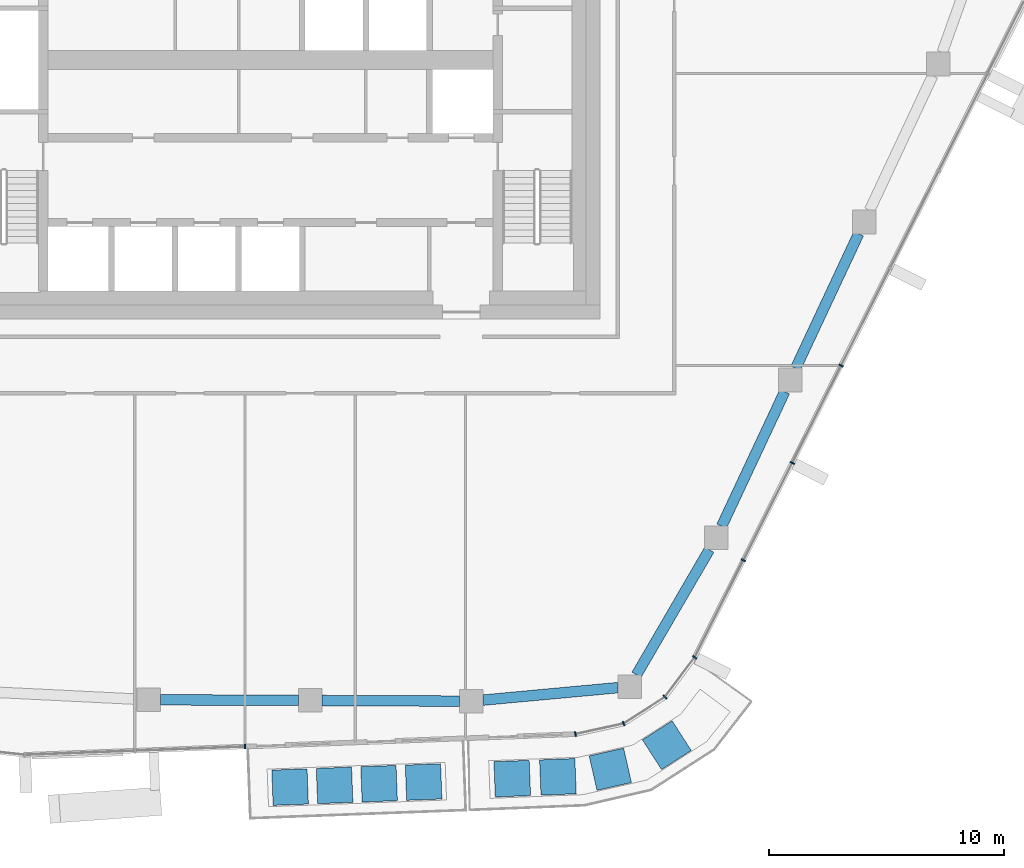
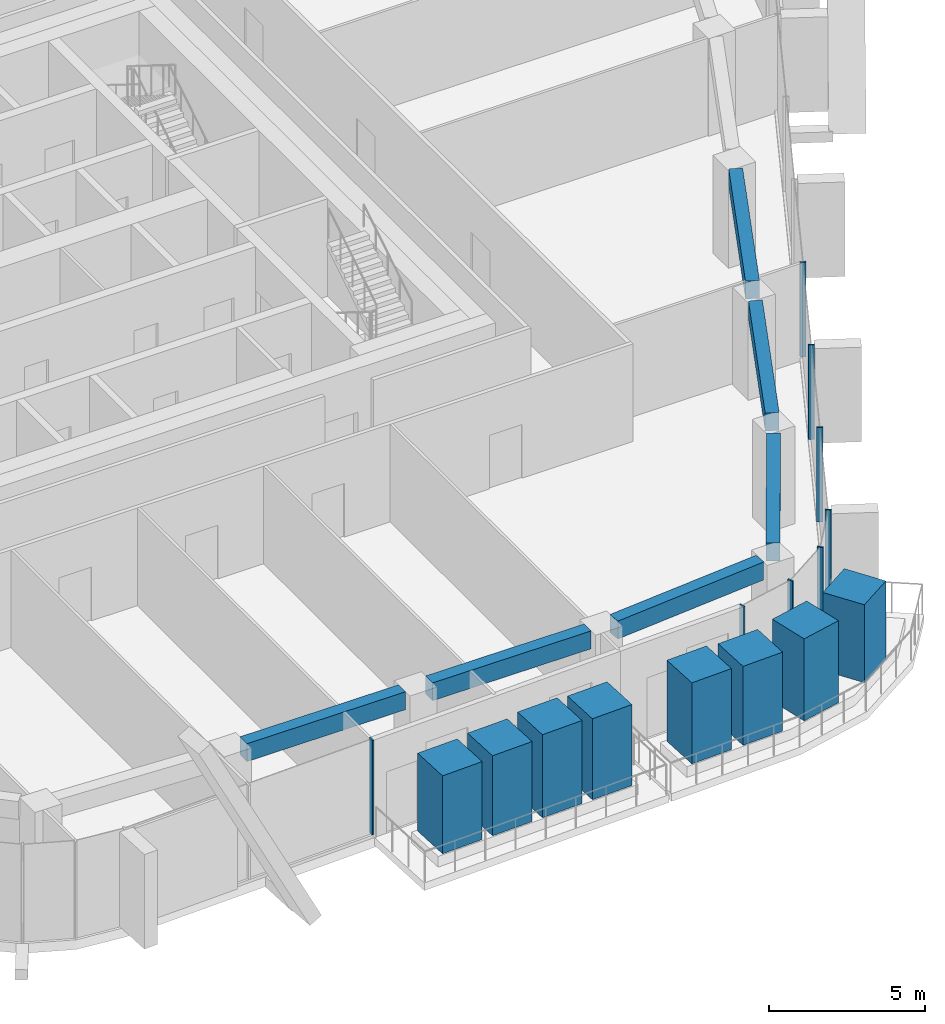
# One storey, part 4 of 24: 16 members, 6 beams, 3 elements without a shape of their own.
"""IFC4 building model written with IfcOpenShell, lengths in metres."""

from ifc_helpers import new_model, si_unit, direction, frame, origin, origin_2d, place, context, subcontext, project, spatial, rectangle, extrude, material, layer, layer_set, material_profile, profile_set, type_object, element, aggregate, save


model = new_model("IFC4")

# Units and contexts
model_context = context("Model", 3, precision=1e-05, world=origin(), true_north=direction((0.0, 1.0)))
body_context = subcontext(model_context, "Body", "Model", "MODEL_VIEW")
ifc_project = project(units=[si_unit("LENGTHUNIT", "METRE"), si_unit("AREAUNIT", "SQUARE_METRE"), si_unit("VOLUMEUNIT", "CUBIC_METRE"), si_unit("PLANEANGLEUNIT", "RADIAN"), si_unit("MASSUNIT", "GRAM", prefix="KILO")], contexts=[model_context])

# Site, building, storey
site_placement = place(None, origin())
site = spatial("IfcSite", under=ifc_project, at=site_placement, CompositionType="ELEMENT")
building_placement = place(site_placement, origin())
building = spatial("IfcBuilding", under=site, at=building_placement, Name="Dongbaek Canopy Tower", CompositionType="ELEMENT")
storey_placement = place(building_placement, frame((0.0, 0.0, 311.0)))
storey = spatial("IfcBuildingStorey", under=building, at=storey_placement, Name="L66", CompositionType="ELEMENT", Elevation=311.0)

# Curtain wall, member
ifc_material_1 = material(Name="Aluminium 6063-T6 pale anodised", Category="aluminium")
ifc_layer = layer(ifc_material_1, 0.199951171875)
ifc_layer_set = layer_set([ifc_layer], Name="CW-1 unitised tower curtain wall")
curtain_wall_type = type_object("IfcCurtainWallType", Name="CW-1 unitised tower curtain wall", PredefinedType="NOTDEFINED", material=ifc_layer_set)
curtain_wall_1_placement = place(storey_placement, origin())
curtain_wall_1 = element("IfcCurtainWall", 1, at=curtain_wall_1_placement, inside=storey, type_object=curtain_wall_type, Name="CW-1 curtain wall F4.1", PredefinedType="NOTDEFINED")
ifc_material_2 = material(Name="Aluminium 6063-T6 pale anodised", Category="aluminium")
ifc_material_profile_1 = material_profile(ifc_material_2, rectangle(XDim=0.199951171875, YDim=0.06005859375, at=origin_2d()), Name="CW-1 mullion 60 x 200")
ifc_profile_set_1 = profile_set([ifc_material_profile_1], Name="Aluminium 6063-T6 pale anodised")
member_type_1 = type_object("IfcMemberType", Name="CW-1 mullion 60 x 200", PredefinedType="MULLION", material=ifc_profile_set_1)
member_1_placement = place(storey_placement, frame((-1.078857421875, -29.155517578125, 0.1201171875), z_axis=(0.0, 0.0, 1.0), x_axis=(0.037712000431, -0.999288649502, 0.0)))
member_1 = element("IfcMember", 2, at=member_1_placement, type_object=member_type_1, Name="CW-1 mullion F4.1.3", PredefinedType="MULLION", context=body_context, shape_type="SweptSolid", body=[
    extrude(rectangle(XDim=0.199951171875, YDim=0.06005859375, at=origin_2d()), origin(), (0.0, 0.0, 1.0), 3.699951171875),
])
aggregate(curtain_wall_1, [member_1])

# Curtain wall, members
curtain_wall_2_placement = place(storey_placement, origin())
curtain_wall_2 = element("IfcCurtainWall", 3, at=curtain_wall_2_placement, inside=storey, type_object=curtain_wall_type, Name="CW-1 curtain wall K5.1", PredefinedType="NOTDEFINED")
member_2_placement = place(storey_placement, frame((12.949951171875, -28.6259765625, 0.0), z_axis=(0.0, 0.0, 1.0), x_axis=(0.21403199366, -0.976826650788, 0.0)))
member_2 = element("IfcMember", 4, at=member_2_placement, type_object=member_type_1, Name="CW-1 mullion K5.1.1", PredefinedType="MULLION", context=body_context, shape_type="SweptSolid", body=[
    extrude(rectangle(XDim=0.199951171875, YDim=0.06005859375, at=origin_2d()), origin(), (0.0, 0.0, 1.0), 3.820068359375),
])
member_3_placement = place(storey_placement, frame((14.9990234375, -28.177001953125, 0.0), z_axis=(0.0, 0.0, 1.0), x_axis=(0.383590013884, -0.923503492819, 0.0)))
member_3 = element("IfcMember", 5, at=member_3_placement, type_object=member_type_1, Name="CW-1 mullion K5.1.2", PredefinedType="MULLION", context=body_context, shape_type="SweptSolid", body=[
    extrude(rectangle(XDim=0.199951171875, YDim=0.06005859375, at=origin_2d()), origin(), (0.0, 0.0, 1.0), 3.820068359375),
])
member_4_placement = place(storey_placement, frame((16.75537109375, -27.047119140625, 0.0), z_axis=(0.0, 0.0, 1.0), x_axis=(0.681375433119, -0.731934094807, 0.0)))
member_4 = element("IfcMember", 6, at=member_4_placement, type_object=member_type_1, Name="CW-1 mullion K5.1.3", PredefinedType="MULLION", context=body_context, shape_type="SweptSolid", body=[
    extrude(rectangle(XDim=0.199951171875, YDim=0.06005859375, at=origin_2d()), origin(), (0.0, 0.0, 1.0), 3.820068359375),
])
member_5_placement = place(storey_placement, frame((18.013427734375, -25.36865234375, 0.0), z_axis=(0.0, 0.0, 1.0), x_axis=(0.800194813584, -0.599740160664, 0.0)))
member_5 = element("IfcMember", 7, at=member_5_placement, type_object=member_type_1, Name="CW-1 mullion K5.1.4", PredefinedType="MULLION", context=body_context, shape_type="SweptSolid", body=[
    extrude(rectangle(XDim=0.199951171875, YDim=0.06005859375, at=origin_2d()), origin(), (0.0, 0.0, 1.0), 3.820068359375),
])
aggregate(curtain_wall_2, [member_2, member_3, member_4, member_5])

curtain_wall_3_placement = place(storey_placement, origin())
curtain_wall_3 = element("IfcCurtainWall", 8, at=curtain_wall_3_placement, inside=storey, type_object=curtain_wall_type, Name="CW-1 curtain wall F5.1", PredefinedType="NOTDEFINED")
member_6_placement = place(storey_placement, frame((20.08447265625, -21.24267578125, 0.1201171875), z_axis=(0.0, 0.0, 1.0), x_axis=(0.893733414129, -0.448598466859, 0.0)))
member_6 = element("IfcMember", 9, at=member_6_placement, type_object=member_type_1, Name="CW-1 mullion F5.1.2", PredefinedType="MULLION", context=body_context, shape_type="SweptSolid", body=[
    extrude(rectangle(XDim=0.199951171875, YDim=0.06005859375, at=origin_2d()), origin(), (0.0, 0.0, 1.0), 3.699951171875),
])
member_7_placement = place(storey_placement, frame((22.159423828125, -17.10888671875, 0.1201171875), z_axis=(0.0, 0.0, 1.0), x_axis=(0.893733414129, -0.448598466859, 0.0)))
member_7 = element("IfcMember", 10, at=member_7_placement, type_object=member_type_1, Name="CW-1 mullion F5.1.3", PredefinedType="MULLION", context=body_context, shape_type="SweptSolid", body=[
    extrude(rectangle(XDim=0.199951171875, YDim=0.06005859375, at=origin_2d()), origin(), (0.0, 0.0, 1.0), 3.699951171875),
])
member_8_placement = place(storey_placement, frame((24.234375, -12.97509765625, 0.1201171875), z_axis=(0.0, 0.0, 1.0), x_axis=(0.893733414129, -0.448598466859, 0.0)))
member_8 = element("IfcMember", 11, at=member_8_placement, type_object=member_type_1, Name="CW-1 mullion F5.1.4", PredefinedType="MULLION", context=body_context, shape_type="SweptSolid", body=[
    extrude(rectangle(XDim=0.199951171875, YDim=0.06005859375, at=origin_2d()), origin(), (0.0, 0.0, 1.0), 3.699951171875),
])
aggregate(curtain_wall_3, [member_6, member_7, member_8])

# Beams
ifc_material_3 = material(Name="Concrete C60", Category="concrete")
ifc_material_profile_2 = material_profile(ifc_material_3, rectangle(XDim=0.449951171875, YDim=0.699951171875, at=origin_2d()), Name="RC EDGE BEAM 450x700 C60")
ifc_profile_set_2 = profile_set([ifc_material_profile_2], Name="Concrete C60")
beam_type = type_object("IfcBeamType", Name="RC EDGE BEAM 450x700 C60", PredefinedType="BEAM", material=ifc_profile_set_2)
beam_1_placement = place(storey_placement, frame((14.751953125, -26.653076171875, 3.469970703125), z_axis=(-0.995766439544, -0.091919518479, 0.0), x_axis=(0.091919518479, -0.995766439544, 0.0)))
element("IfcBeam", 12, at=beam_1_placement, inside=storey, type_object=beam_type, Name="EDGEBEAM:L66:00", PredefinedType="BEAM", context=body_context, shape_type="SweptSolid", body=[
    extrude(rectangle(XDim=0.449951171875, YDim=0.699951171875, at=origin_2d()), origin(), (0.0, 0.0, 1.0), 5.742431640625),
])
beam_2_placement = place(storey_placement, frame((8.033935546875, -27.224853515625, 3.469970703125), z_axis=(-0.999990401851, 0.004381347473, 0.0), x_axis=(-0.004381347473, -0.999990401851, 0.0)))
element("IfcBeam", 13, at=beam_2_placement, inside=storey, type_object=beam_type, Name="EDGEBEAM:L66:01", PredefinedType="BEAM", context=body_context, shape_type="SweptSolid", body=[
    extrude(rectangle(XDim=0.449951171875, YDim=0.699951171875, at=origin_2d()), origin(), (0.0, 0.0, 1.0), 5.850830078125),
])
beam_3_placement = place(storey_placement, frame((1.18310546875, -27.19482421875, 3.469970703125), z_axis=(-0.999990396242, 0.004382627582, 0.0), x_axis=(-0.004382627582, -0.999990396242, 0.0)))
element("IfcBeam", 14, at=beam_3_placement, inside=storey, type_object=beam_type, Name="EDGEBEAM:L66:02", PredefinedType="BEAM", context=body_context, shape_type="SweptSolid", body=[
    extrude(rectangle(XDim=0.449951171875, YDim=0.699951171875, at=origin_2d()), origin(), (0.0, 0.0, 1.0), 5.84912109375),
])
beam_4_placement = place(storey_placement, frame((24.975830078125, -7.37890625, 3.469970703125), z_axis=(-0.424108398663, -0.905611432229, 0.0), x_axis=(0.905611432229, -0.424108398663, 0.0)))
element("IfcBeam", 15, at=beam_4_placement, inside=storey, type_object=beam_type, Name="EDGEBEAM:L66:23", PredefinedType="BEAM", context=body_context, shape_type="SweptSolid", body=[
    extrude(rectangle(XDim=0.449951171875, YDim=0.699951171875, at=origin_2d()), origin(), (0.0, 0.0, 1.0), 6.303955078125),
])
beam_5_placement = place(storey_placement, frame((21.833740234375, -14.087890625, 3.469970703125), z_axis=(-0.424294949226, -0.905524044993, 0.0), x_axis=(0.905524044993, -0.424294949226, 0.0)))
element("IfcBeam", 16, at=beam_5_placement, inside=storey, type_object=beam_type, Name="EDGEBEAM:L66:24", PredefinedType="BEAM", context=body_context, shape_type="SweptSolid", body=[
    extrude(rectangle(XDim=0.449951171875, YDim=0.699951171875, at=origin_2d()), origin(), (0.0, 0.0, 1.0), 6.303466796875),
])
beam_6_placement = place(storey_placement, frame((18.634033203125, -20.7958984375, 3.469970703125), z_axis=(-0.503016078482, -0.864277053258, 0.0), x_axis=(0.864277053258, -0.503016078482, 0.0)))
element("IfcBeam", 17, at=beam_6_placement, inside=storey, type_object=beam_type, Name="EDGEBEAM:L66:25", PredefinedType="BEAM", context=body_context, shape_type="SweptSolid", body=[
    extrude(rectangle(XDim=0.449951171875, YDim=0.699951171875, at=origin_2d()), origin(), (0.0, 0.0, 1.0), 6.14501953125),
])

# Members
ifc_material_4 = material(Name="Concrete C40/50 planter mass with planting", Category="concrete")
ifc_material_profile_3 = material_profile(ifc_material_4, rectangle(XDim=1.5, YDim=1.5, at=origin_2d()), Name="Terrace PLANTER shrub mass 1500 x 1500")
ifc_profile_set_3 = profile_set([ifc_material_profile_3], Name="Concrete C40/50 planter mass with planting")
member_type_2 = type_object("IfcMemberType", Name="Terrace PLANTER shrub mass 1500 x 1500", PredefinedType="USERDEFINED", material=ifc_profile_set_3)
member_9_placement = place(storey_placement, frame((0.8330078125, -30.87451171875, 0.419921875), z_axis=(0.0, 0.0, 1.0), x_axis=(0.037712000431, -0.999288649502, 0.0)))
element("IfcMember", 18, at=member_9_placement, inside=storey, type_object=member_type_2, Name="Planter shrubs L66 4.1", ObjectType="PLANTER", PredefinedType="USERDEFINED", context=body_context, shape_type="SweptSolid", body=[
    extrude(rectangle(XDim=1.5, YDim=1.5, at=origin_2d()), origin(), (0.0, 0.0, 1.0), 3.050048828125),
])
member_10_placement = place(storey_placement, frame((2.722900390625, -30.80322265625, 0.419921875), z_axis=(0.0, 0.0, 1.0), x_axis=(0.037712000431, -0.999288649502, 0.0)))
element("IfcMember", 19, at=member_10_placement, inside=storey, type_object=member_type_2, Name="Planter shrubs L66 4.2", ObjectType="PLANTER", PredefinedType="USERDEFINED", context=body_context, shape_type="SweptSolid", body=[
    extrude(rectangle(XDim=1.5, YDim=1.5, at=origin_2d()), origin(), (0.0, 0.0, 1.0), 3.130126953125),
])
member_11_placement = place(storey_placement, frame((4.61279296875, -30.73193359375, 0.419921875), z_axis=(0.0, 0.0, 1.0), x_axis=(0.037712000431, -0.999288649502, 0.0)))
element("IfcMember", 20, at=member_11_placement, inside=storey, type_object=member_type_2, Name="Planter shrubs L66 4.3", ObjectType="PLANTER", PredefinedType="USERDEFINED", context=body_context, shape_type="SweptSolid", body=[
    extrude(rectangle(XDim=1.5, YDim=1.5, at=origin_2d()), origin(), (0.0, 0.0, 1.0), 3.25),
])
for number, where, z_axis, x_axis, name in (
    (21, (6.502685546875, -30.66064453125, 0.419921875), (0.0, 0.0, 1.0), (0.037712000431, -0.999288649502, 0.0), "Planter shrubs L66 4.4"),
    (22, (10.266357421875, -30.516845703125, 0.419921875), (0.0, 0.0, 1.0), (0.039433003333, -0.999222216651, 0.0), "Planter shrubs L66 7.1"),
):
    element("IfcMember", number, at=place(storey_placement, frame(where, z_axis=z_axis, x_axis=x_axis)), inside=storey, type_object=member_type_2, Name=name, ObjectType="PLANTER", PredefinedType="USERDEFINED", context=body_context, shape_type="SweptSolid", body=[
        extrude(rectangle(XDim=1.5, YDim=1.5, at=origin_2d()), origin(), (0.0, 0.0, 1.0), 3.170166015625),
    ])
member_12_placement = place(storey_placement, frame((12.206298828125, -30.4404296875, 0.419921875), z_axis=(0.0, 0.0, 1.0), x_axis=(0.039433003333, -0.999222216651, 0.0)))
element("IfcMember", 23, at=member_12_placement, inside=storey, type_object=member_type_2, Name="Planter shrubs L66 7.2", ObjectType="PLANTER", PredefinedType="USERDEFINED", context=body_context, shape_type="SweptSolid", body=[
    extrude(rectangle(XDim=1.5, YDim=1.5, at=origin_2d()), origin(), (0.0, 0.0, 1.0), 3.090087890625),
])
member_13_placement = place(storey_placement, frame((14.43115234375, -30.116943359375, 0.419921875), z_axis=(0.0, 0.0, 1.0), x_axis=(0.221618978148, -0.975133338844, 0.0)))
element("IfcMember", 24, at=member_13_placement, inside=storey, type_object=member_type_2, Name="Planter shrubs L66 7.3", ObjectType="PLANTER", PredefinedType="USERDEFINED", context=body_context, shape_type="SweptSolid", body=[
    extrude(rectangle(XDim=1.5, YDim=1.5, at=origin_2d()), origin(), (0.0, 0.0, 1.0), 3.2099609375),
])
member_14_placement = place(storey_placement, frame((16.831298828125, -29.094970703125, 0.419921875), z_axis=(0.0, 0.0, 1.0), x_axis=(0.541029166858, -0.841003829128, 0.0)))
element("IfcMember", 25, at=member_14_placement, inside=storey, type_object=member_type_2, Name="Planter shrubs L66 7.4", ObjectType="PLANTER", PredefinedType="USERDEFINED", context=body_context, shape_type="SweptSolid", body=[
    extrude(rectangle(XDim=1.5, YDim=1.5, at=origin_2d()), origin(), (0.0, 0.0, 1.0), 3.050048828125),
])

save(model, "model.ifc")
